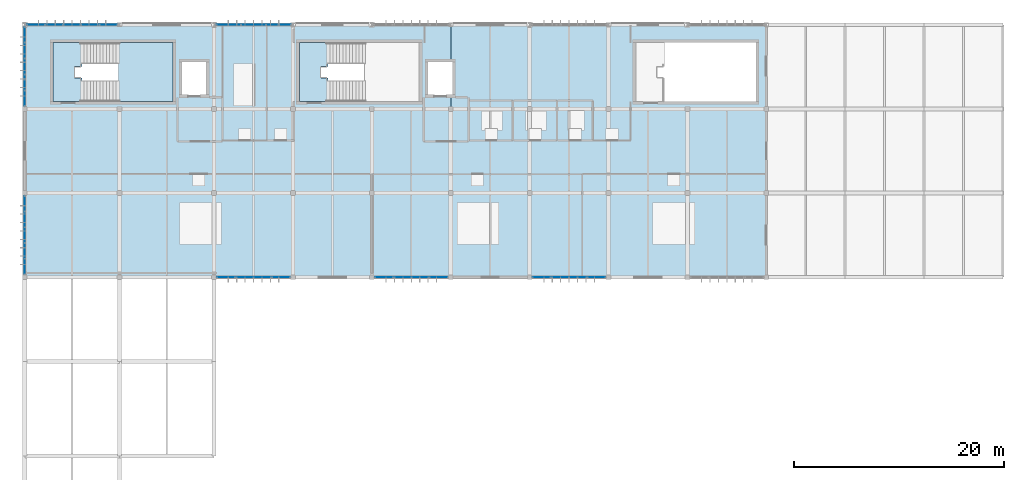
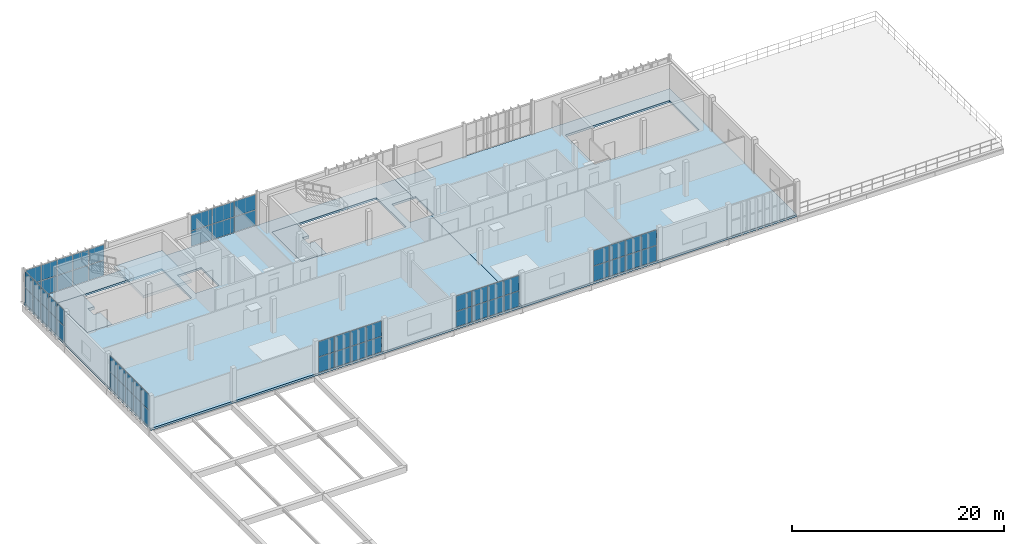
# One storey, part 17 of 26: 60 plates, 5 slabs, 8 elements without a shape of their own.
"""IFC4 building model written with IfcOpenShell, lengths in metres."""

from ifc_helpers import new_model, si_unit, direction, frame, origin, origin_2d, place, context, subcontext, project, spatial, polyline, rectangle, outline, extrude, material, layer, layer_set, type_object, element, aggregate, save


model = new_model("IFC4")

# Units and contexts
model_context = context("Model", 3, precision=1e-05, world=origin(), true_north=direction((0.0, 1.0)))
body_context = subcontext(model_context, "Body", "Model", "MODEL_VIEW")
ifc_project = project(units=[si_unit("LENGTHUNIT", "METRE"), si_unit("AREAUNIT", "SQUARE_METRE"), si_unit("VOLUMEUNIT", "CUBIC_METRE"), si_unit("PLANEANGLEUNIT", "RADIAN"), si_unit("MASSUNIT", "GRAM", prefix="KILO")], contexts=[model_context])

# Site, building, storey
site_placement = place(None, origin())
site = spatial("IfcSite", under=ifc_project, at=site_placement, CompositionType="ELEMENT")
building_placement = place(site_placement, origin())
building = spatial("IfcBuilding", under=site, at=building_placement, Name="Vourika Railside Aquatics Centre", CompositionType="ELEMENT")
storey_placement = place(building_placement, frame((0.0, 0.0, 17.699951171875)))
storey = spatial("IfcBuildingStorey", under=building, at=storey_placement, Name="L04", CompositionType="ELEMENT", Elevation=17.699951171875)

# Curtain wall, plates
ifc_material_1 = material(Name="Anodized thermally broken aluminium", Category="aluminium")
curtain_wall_type = type_object("IfcCurtainWallType", Name="CW-FIT4", PredefinedType="NOTDEFINED", material=ifc_material_1)
curtain_wall_1_placement = place(storey_placement, origin())
curtain_wall_1 = element("IfcCurtainWall", 1, at=curtain_wall_1_placement, inside=storey, type_object=curtain_wall_type, Name="North Boulevard Curtain Wall L04-1", PredefinedType="NOTDEFINED")
ifc_material_2 = material(Name="Low-E solar-control laminated double glazing", Category="glass")
ifc_layer_1 = layer(ifc_material_2, 0.02392578125, Name="CWP-FIT4")
ifc_layer_set_1 = layer_set([ifc_layer_1], Name="Low-E solar-control laminated double glazing")
plate_type = type_object("IfcPlateType", Name="CWP-FIT4", PredefinedType="CURTAIN_PANEL", material=ifc_layer_set_1)
plate_1_placement = place(storey_placement, frame((25.942138671875, 116.0, 0.05517578125), z_axis=(0.0, 0.0, 1.0), x_axis=(-1.0, 0.0, 0.0)))
plate_1 = element("IfcPlate", 2, at=plate_1_placement, type_object=plate_type, Name="CW18 panel 1.1", PredefinedType="CURTAIN_PANEL", context=body_context, shape_type="SweptSolid", body=[
    extrude(rectangle(XDim=1.6455078125, YDim=0.02392578125, at=origin_2d()), origin(), (0.0, 0.0, 1.0), 1.75244140625),
])
plate_2_placement = place(storey_placement, frame((25.942138671875, 116.0, 1.862548828125), z_axis=(0.0, 0.0, 1.0), x_axis=(-1.0, 0.0, 0.0)))
plate_2 = element("IfcPlate", 3, at=plate_2_placement, type_object=plate_type, Name="CW18 panel 1.2", PredefinedType="CURTAIN_PANEL", context=body_context, shape_type="SweptSolid", body=[
    extrude(rectangle(XDim=1.6455078125, YDim=0.02392578125, at=origin_2d()), origin(), (0.0, 0.0, 1.0), 1.75244140625),
])
plate_3_placement = place(storey_placement, frame((24.22802734375, 116.0, 0.05517578125), z_axis=(0.0, 0.0, 1.0), x_axis=(-1.0, 0.0, 0.0)))
plate_3 = element("IfcPlate", 4, at=plate_3_placement, type_object=plate_type, Name="CW18 panel 2.1", PredefinedType="CURTAIN_PANEL", context=body_context, shape_type="SweptSolid", body=[
    extrude(rectangle(XDim=1.673095703125, YDim=0.02392578125, at=origin_2d()), origin(), (0.0, 0.0, 1.0), 1.75244140625),
])
plate_4_placement = place(storey_placement, frame((24.22802734375, 116.0, 1.862548828125), z_axis=(0.0, 0.0, 1.0), x_axis=(-1.0, 0.0, 0.0)))
plate_4 = element("IfcPlate", 5, at=plate_4_placement, type_object=plate_type, Name="CW18 panel 2.2", PredefinedType="CURTAIN_PANEL", context=body_context, shape_type="SweptSolid", body=[
    extrude(rectangle(XDim=1.673095703125, YDim=0.02392578125, at=origin_2d()), origin(), (0.0, 0.0, 1.0), 1.75244140625),
])
plate_5_placement = place(storey_placement, frame((22.5, 116.0, 0.05517578125), z_axis=(0.0, 0.0, 1.0), x_axis=(-1.0, 0.0, 0.0)))
plate_5 = element("IfcPlate", 6, at=plate_5_placement, type_object=plate_type, Name="CW18 panel 3.1", PredefinedType="CURTAIN_PANEL", context=body_context, shape_type="SweptSolid", body=[
    extrude(rectangle(XDim=1.673095703125, YDim=0.02392578125, at=origin_2d()), origin(), (0.0, 0.0, 1.0), 1.75244140625),
])
plate_6_placement = place(storey_placement, frame((22.5, 116.0, 1.862548828125), z_axis=(0.0, 0.0, 1.0), x_axis=(-1.0, 0.0, 0.0)))
plate_6 = element("IfcPlate", 7, at=plate_6_placement, type_object=plate_type, Name="CW18 panel 3.2", PredefinedType="CURTAIN_PANEL", context=body_context, shape_type="SweptSolid", body=[
    extrude(rectangle(XDim=1.673095703125, YDim=0.02392578125, at=origin_2d()), origin(), (0.0, 0.0, 1.0), 1.75244140625),
])
plate_7_placement = place(storey_placement, frame((20.77197265625, 116.0, 0.05517578125), z_axis=(0.0, 0.0, 1.0), x_axis=(-1.0, 0.0, 0.0)))
plate_7 = element("IfcPlate", 8, at=plate_7_placement, type_object=plate_type, Name="CW18 panel 4.1", PredefinedType="CURTAIN_PANEL", context=body_context, shape_type="SweptSolid", body=[
    extrude(rectangle(XDim=1.673095703125, YDim=0.02392578125, at=origin_2d()), origin(), (0.0, 0.0, 1.0), 1.75244140625),
])
plate_8_placement = place(storey_placement, frame((20.77197265625, 116.0, 1.862548828125), z_axis=(0.0, 0.0, 1.0), x_axis=(-1.0, 0.0, 0.0)))
plate_8 = element("IfcPlate", 9, at=plate_8_placement, type_object=plate_type, Name="CW18 panel 4.2", PredefinedType="CURTAIN_PANEL", context=body_context, shape_type="SweptSolid", body=[
    extrude(rectangle(XDim=1.673095703125, YDim=0.02392578125, at=origin_2d()), origin(), (0.0, 0.0, 1.0), 1.75244140625),
])
plate_9_placement = place(storey_placement, frame((19.057861328125, 116.0, 0.05517578125), z_axis=(0.0, 0.0, 1.0), x_axis=(-1.0, 0.0, 0.0)))
plate_9 = element("IfcPlate", 10, at=plate_9_placement, type_object=plate_type, Name="CW18 panel 5.1", PredefinedType="CURTAIN_PANEL", context=body_context, shape_type="SweptSolid", body=[
    extrude(rectangle(XDim=1.6455078125, YDim=0.02392578125, at=origin_2d()), origin(), (0.0, 0.0, 1.0), 1.75244140625),
])
plate_10_placement = place(storey_placement, frame((19.057861328125, 116.0, 1.862548828125), z_axis=(0.0, 0.0, 1.0), x_axis=(-1.0, 0.0, 0.0)))
plate_10 = element("IfcPlate", 11, at=plate_10_placement, type_object=plate_type, Name="CW18 panel 5.2", PredefinedType="CURTAIN_PANEL", context=body_context, shape_type="SweptSolid", body=[
    extrude(rectangle(XDim=1.6455078125, YDim=0.02392578125, at=origin_2d()), origin(), (0.0, 0.0, 1.0), 1.75244140625),
])
aggregate(curtain_wall_1, [plate_1, plate_2, plate_3, plate_4, plate_5, plate_6, plate_7, plate_8, plate_9, plate_10])

curtain_wall_2_placement = place(storey_placement, origin())
curtain_wall_2 = element("IfcCurtainWall", 12, at=curtain_wall_2_placement, inside=storey, type_object=curtain_wall_type, Name="North Boulevard Curtain Wall L04-3", PredefinedType="NOTDEFINED")
plate_11_placement = place(storey_placement, frame((42.1162109375, 116.0, 0.05517578125), z_axis=(0.0, 0.0, 1.0), x_axis=(-1.0, 0.0, 0.0)))
plate_11 = element("IfcPlate", 13, at=plate_11_placement, type_object=plate_type, Name="CW18 panel 1.1", PredefinedType="CURTAIN_PANEL", context=body_context, shape_type="SweptSolid", body=[
    extrude(rectangle(XDim=2.297607421875, YDim=0.02392578125, at=origin_2d()), origin(), (0.0, 0.0, 1.0), 1.75244140625),
])
plate_12_placement = place(storey_placement, frame((42.1162109375, 116.0, 1.862548828125), z_axis=(0.0, 0.0, 1.0), x_axis=(-1.0, 0.0, 0.0)))
plate_12 = element("IfcPlate", 14, at=plate_12_placement, type_object=plate_type, Name="CW18 panel 1.2", PredefinedType="CURTAIN_PANEL", context=body_context, shape_type="SweptSolid", body=[
    extrude(rectangle(XDim=2.297607421875, YDim=0.02392578125, at=origin_2d()), origin(), (0.0, 0.0, 1.0), 1.75244140625),
])
plate_13_placement = place(storey_placement, frame((39.75, 116.0, 0.05517578125), z_axis=(0.0, 0.0, 1.0), x_axis=(-1.0, 0.0, 0.0)))
plate_13 = element("IfcPlate", 15, at=plate_13_placement, type_object=plate_type, Name="CW18 panel 2.1", PredefinedType="CURTAIN_PANEL", context=body_context, shape_type="SweptSolid", body=[
    extrude(rectangle(XDim=2.324951171875, YDim=0.02392578125, at=origin_2d()), origin(), (0.0, 0.0, 1.0), 1.75244140625),
])
plate_14_placement = place(storey_placement, frame((39.75, 116.0, 1.862548828125), z_axis=(0.0, 0.0, 1.0), x_axis=(-1.0, 0.0, 0.0)))
plate_14 = element("IfcPlate", 16, at=plate_14_placement, type_object=plate_type, Name="CW18 panel 2.2", PredefinedType="CURTAIN_PANEL", context=body_context, shape_type="SweptSolid", body=[
    extrude(rectangle(XDim=2.324951171875, YDim=0.02392578125, at=origin_2d()), origin(), (0.0, 0.0, 1.0), 1.75244140625),
])
plate_15_placement = place(storey_placement, frame((37.3837890625, 116.0, 0.05517578125), z_axis=(0.0, 0.0, 1.0), x_axis=(-1.0, 0.0, 0.0)))
plate_15 = element("IfcPlate", 17, at=plate_15_placement, type_object=plate_type, Name="CW18 panel 3.1", PredefinedType="CURTAIN_PANEL", context=body_context, shape_type="SweptSolid", body=[
    extrude(rectangle(XDim=2.297607421875, YDim=0.02392578125, at=origin_2d()), origin(), (0.0, 0.0, 1.0), 1.75244140625),
])
plate_16_placement = place(storey_placement, frame((37.3837890625, 116.0, 1.862548828125), z_axis=(0.0, 0.0, 1.0), x_axis=(-1.0, 0.0, 0.0)))
plate_16 = element("IfcPlate", 18, at=plate_16_placement, type_object=plate_type, Name="CW18 panel 3.2", PredefinedType="CURTAIN_PANEL", context=body_context, shape_type="SweptSolid", body=[
    extrude(rectangle(XDim=2.297607421875, YDim=0.02392578125, at=origin_2d()), origin(), (0.0, 0.0, 1.0), 1.75244140625),
])
aggregate(curtain_wall_2, [plate_11, plate_12, plate_13, plate_14, plate_15, plate_16])

curtain_wall_3_placement = place(storey_placement, origin())
curtain_wall_3 = element("IfcCurtainWall", 19, at=curtain_wall_3_placement, inside=storey, type_object=curtain_wall_type, Name="Courtyard Fitness Curtain Wall L04-1", PredefinedType="NOTDEFINED")
plate_17_placement = place(storey_placement, frame((37.142578125, 92.0, 0.05517578125), z_axis=(0.0, 0.0, 1.0), x_axis=(1.0, 0.0, 0.0)))
plate_17 = element("IfcPlate", 20, at=plate_17_placement, type_object=plate_type, Name="CW18 panel 1.1", PredefinedType="CURTAIN_PANEL", context=body_context, shape_type="SweptSolid", body=[
    extrude(rectangle(XDim=1.6650390625, YDim=0.02392578125, at=origin_2d()), origin(), (0.0, 0.0, 1.0), 1.75244140625),
])
plate_18_placement = place(storey_placement, frame((37.142578125, 92.0, 1.862548828125), z_axis=(0.0, 0.0, 1.0), x_axis=(1.0, 0.0, 0.0)))
plate_18 = element("IfcPlate", 21, at=plate_18_placement, type_object=plate_type, Name="CW18 panel 1.2", PredefinedType="CURTAIN_PANEL", context=body_context, shape_type="SweptSolid", body=[
    extrude(rectangle(XDim=1.6650390625, YDim=0.02392578125, at=origin_2d()), origin(), (0.0, 0.0, 1.0), 1.75244140625),
])
plate_19_placement = place(storey_placement, frame((38.876220703125, 92.0, 0.05517578125), z_axis=(0.0, 0.0, 1.0), x_axis=(1.0, 0.0, 0.0)))
plate_19 = element("IfcPlate", 22, at=plate_19_placement, type_object=plate_type, Name="CW18 panel 2.1", PredefinedType="CURTAIN_PANEL", context=body_context, shape_type="SweptSolid", body=[
    extrude(rectangle(XDim=1.6923828125, YDim=0.02392578125, at=origin_2d()), origin(), (0.0, 0.0, 1.0), 1.75244140625),
])
plate_20_placement = place(storey_placement, frame((38.876220703125, 92.0, 1.862548828125), z_axis=(0.0, 0.0, 1.0), x_axis=(1.0, 0.0, 0.0)))
plate_20 = element("IfcPlate", 23, at=plate_20_placement, type_object=plate_type, Name="CW18 panel 2.2", PredefinedType="CURTAIN_PANEL", context=body_context, shape_type="SweptSolid", body=[
    extrude(rectangle(XDim=1.6923828125, YDim=0.02392578125, at=origin_2d()), origin(), (0.0, 0.0, 1.0), 1.75244140625),
])
plate_21_placement = place(storey_placement, frame((40.623779296875, 92.0, 0.05517578125), z_axis=(0.0, 0.0, 1.0), x_axis=(1.0, 0.0, 0.0)))
plate_21 = element("IfcPlate", 24, at=plate_21_placement, type_object=plate_type, Name="CW18 panel 3.1", PredefinedType="CURTAIN_PANEL", context=body_context, shape_type="SweptSolid", body=[
    extrude(rectangle(XDim=1.6923828125, YDim=0.02392578125, at=origin_2d()), origin(), (0.0, 0.0, 1.0), 1.75244140625),
])
plate_22_placement = place(storey_placement, frame((40.623779296875, 92.0, 1.862548828125), z_axis=(0.0, 0.0, 1.0), x_axis=(1.0, 0.0, 0.0)))
plate_22 = element("IfcPlate", 25, at=plate_22_placement, type_object=plate_type, Name="CW18 panel 3.2", PredefinedType="CURTAIN_PANEL", context=body_context, shape_type="SweptSolid", body=[
    extrude(rectangle(XDim=1.6923828125, YDim=0.02392578125, at=origin_2d()), origin(), (0.0, 0.0, 1.0), 1.75244140625),
])
plate_23_placement = place(storey_placement, frame((42.357421875, 92.0, 0.05517578125), z_axis=(0.0, 0.0, 1.0), x_axis=(1.0, 0.0, 0.0)))
plate_23 = element("IfcPlate", 26, at=plate_23_placement, type_object=plate_type, Name="CW18 panel 4.1", PredefinedType="CURTAIN_PANEL", context=body_context, shape_type="SweptSolid", body=[
    extrude(rectangle(XDim=1.6650390625, YDim=0.02392578125, at=origin_2d()), origin(), (0.0, 0.0, 1.0), 1.75244140625),
])
plate_24_placement = place(storey_placement, frame((42.357421875, 92.0, 1.862548828125), z_axis=(0.0, 0.0, 1.0), x_axis=(1.0, 0.0, 0.0)))
plate_24 = element("IfcPlate", 27, at=plate_24_placement, type_object=plate_type, Name="CW18 panel 4.2", PredefinedType="CURTAIN_PANEL", context=body_context, shape_type="SweptSolid", body=[
    extrude(rectangle(XDim=1.6650390625, YDim=0.02392578125, at=origin_2d()), origin(), (0.0, 0.0, 1.0), 1.75244140625),
])
aggregate(curtain_wall_3, [plate_17, plate_18, plate_19, plate_20, plate_21, plate_22, plate_23, plate_24])

curtain_wall_4_placement = place(storey_placement, origin())
curtain_wall_4 = element("IfcCurtainWall", 28, at=curtain_wall_4_placement, inside=storey, type_object=curtain_wall_type, Name="Courtyard Fitness Curtain Wall L04-3", PredefinedType="NOTDEFINED")
plate_25_placement = place(storey_placement, frame((52.142578125, 92.0, 0.05517578125), z_axis=(0.0, 0.0, 1.0), x_axis=(1.0, 0.0, 0.0)))
plate_25 = element("IfcPlate", 29, at=plate_25_placement, type_object=plate_type, Name="CW18 panel 1.1", PredefinedType="CURTAIN_PANEL", context=body_context, shape_type="SweptSolid", body=[
    extrude(rectangle(XDim=1.6650390625, YDim=0.02392578125, at=origin_2d()), origin(), (0.0, 0.0, 1.0), 1.75244140625),
])
plate_26_placement = place(storey_placement, frame((52.142578125, 92.0, 1.862548828125), z_axis=(0.0, 0.0, 1.0), x_axis=(1.0, 0.0, 0.0)))
plate_26 = element("IfcPlate", 30, at=plate_26_placement, type_object=plate_type, Name="CW18 panel 1.2", PredefinedType="CURTAIN_PANEL", context=body_context, shape_type="SweptSolid", body=[
    extrude(rectangle(XDim=1.6650390625, YDim=0.02392578125, at=origin_2d()), origin(), (0.0, 0.0, 1.0), 1.75244140625),
])
plate_27_placement = place(storey_placement, frame((53.876220703125, 92.0, 0.05517578125), z_axis=(0.0, 0.0, 1.0), x_axis=(1.0, 0.0, 0.0)))
plate_27 = element("IfcPlate", 31, at=plate_27_placement, type_object=plate_type, Name="CW18 panel 2.1", PredefinedType="CURTAIN_PANEL", context=body_context, shape_type="SweptSolid", body=[
    extrude(rectangle(XDim=1.6923828125, YDim=0.02392578125, at=origin_2d()), origin(), (0.0, 0.0, 1.0), 1.75244140625),
])
plate_28_placement = place(storey_placement, frame((53.876220703125, 92.0, 1.862548828125), z_axis=(0.0, 0.0, 1.0), x_axis=(1.0, 0.0, 0.0)))
plate_28 = element("IfcPlate", 32, at=plate_28_placement, type_object=plate_type, Name="CW18 panel 2.2", PredefinedType="CURTAIN_PANEL", context=body_context, shape_type="SweptSolid", body=[
    extrude(rectangle(XDim=1.6923828125, YDim=0.02392578125, at=origin_2d()), origin(), (0.0, 0.0, 1.0), 1.75244140625),
])
plate_29_placement = place(storey_placement, frame((55.623779296875, 92.0, 0.05517578125), z_axis=(0.0, 0.0, 1.0), x_axis=(1.0, 0.0, 0.0)))
plate_29 = element("IfcPlate", 33, at=plate_29_placement, type_object=plate_type, Name="CW18 panel 3.1", PredefinedType="CURTAIN_PANEL", context=body_context, shape_type="SweptSolid", body=[
    extrude(rectangle(XDim=1.6923828125, YDim=0.02392578125, at=origin_2d()), origin(), (0.0, 0.0, 1.0), 1.75244140625),
])
plate_30_placement = place(storey_placement, frame((55.623779296875, 92.0, 1.862548828125), z_axis=(0.0, 0.0, 1.0), x_axis=(1.0, 0.0, 0.0)))
plate_30 = element("IfcPlate", 34, at=plate_30_placement, type_object=plate_type, Name="CW18 panel 3.2", PredefinedType="CURTAIN_PANEL", context=body_context, shape_type="SweptSolid", body=[
    extrude(rectangle(XDim=1.6923828125, YDim=0.02392578125, at=origin_2d()), origin(), (0.0, 0.0, 1.0), 1.75244140625),
])
plate_31_placement = place(storey_placement, frame((57.357421875, 92.0, 0.05517578125), z_axis=(0.0, 0.0, 1.0), x_axis=(1.0, 0.0, 0.0)))
plate_31 = element("IfcPlate", 35, at=plate_31_placement, type_object=plate_type, Name="CW18 panel 4.1", PredefinedType="CURTAIN_PANEL", context=body_context, shape_type="SweptSolid", body=[
    extrude(rectangle(XDim=1.6650390625, YDim=0.02392578125, at=origin_2d()), origin(), (0.0, 0.0, 1.0), 1.75244140625),
])
plate_32_placement = place(storey_placement, frame((57.357421875, 92.0, 1.862548828125), z_axis=(0.0, 0.0, 1.0), x_axis=(1.0, 0.0, 0.0)))
plate_32 = element("IfcPlate", 36, at=plate_32_placement, type_object=plate_type, Name="CW18 panel 4.2", PredefinedType="CURTAIN_PANEL", context=body_context, shape_type="SweptSolid", body=[
    extrude(rectangle(XDim=1.6650390625, YDim=0.02392578125, at=origin_2d()), origin(), (0.0, 0.0, 1.0), 1.75244140625),
])
aggregate(curtain_wall_4, [plate_25, plate_26, plate_27, plate_28, plate_29, plate_30, plate_31, plate_32])

curtain_wall_5_placement = place(storey_placement, origin())
curtain_wall_5 = element("IfcCurtainWall", 37, at=curtain_wall_5_placement, inside=storey, type_object=curtain_wall_type, Name="Courtyard Fitness Curtain Wall L04-5", PredefinedType="NOTDEFINED")
plate_33_placement = place(storey_placement, frame((67.142578125, 92.0, 0.05517578125), z_axis=(0.0, 0.0, 1.0), x_axis=(1.0, 0.0, 0.0)))
plate_33 = element("IfcPlate", 38, at=plate_33_placement, type_object=plate_type, Name="CW18 panel 1.1", PredefinedType="CURTAIN_PANEL", context=body_context, shape_type="SweptSolid", body=[
    extrude(rectangle(XDim=1.6650390625, YDim=0.02392578125, at=origin_2d()), origin(), (0.0, 0.0, 1.0), 1.75244140625),
])
plate_34_placement = place(storey_placement, frame((67.142578125, 92.0, 1.862548828125), z_axis=(0.0, 0.0, 1.0), x_axis=(1.0, 0.0, 0.0)))
plate_34 = element("IfcPlate", 39, at=plate_34_placement, type_object=plate_type, Name="CW18 panel 1.2", PredefinedType="CURTAIN_PANEL", context=body_context, shape_type="SweptSolid", body=[
    extrude(rectangle(XDim=1.6650390625, YDim=0.02392578125, at=origin_2d()), origin(), (0.0, 0.0, 1.0), 1.75244140625),
])
plate_35_placement = place(storey_placement, frame((68.876220703125, 92.0, 0.05517578125), z_axis=(0.0, 0.0, 1.0), x_axis=(1.0, 0.0, 0.0)))
plate_35 = element("IfcPlate", 40, at=plate_35_placement, type_object=plate_type, Name="CW18 panel 2.1", PredefinedType="CURTAIN_PANEL", context=body_context, shape_type="SweptSolid", body=[
    extrude(rectangle(XDim=1.6923828125, YDim=0.02392578125, at=origin_2d()), origin(), (0.0, 0.0, 1.0), 1.75244140625),
])
plate_36_placement = place(storey_placement, frame((68.876220703125, 92.0, 1.862548828125), z_axis=(0.0, 0.0, 1.0), x_axis=(1.0, 0.0, 0.0)))
plate_36 = element("IfcPlate", 41, at=plate_36_placement, type_object=plate_type, Name="CW18 panel 2.2", PredefinedType="CURTAIN_PANEL", context=body_context, shape_type="SweptSolid", body=[
    extrude(rectangle(XDim=1.6923828125, YDim=0.02392578125, at=origin_2d()), origin(), (0.0, 0.0, 1.0), 1.75244140625),
])
plate_37_placement = place(storey_placement, frame((70.623779296875, 92.0, 0.05517578125), z_axis=(0.0, 0.0, 1.0), x_axis=(1.0, 0.0, 0.0)))
plate_37 = element("IfcPlate", 42, at=plate_37_placement, type_object=plate_type, Name="CW18 panel 3.1", PredefinedType="CURTAIN_PANEL", context=body_context, shape_type="SweptSolid", body=[
    extrude(rectangle(XDim=1.6923828125, YDim=0.02392578125, at=origin_2d()), origin(), (0.0, 0.0, 1.0), 1.75244140625),
])
plate_38_placement = place(storey_placement, frame((70.623779296875, 92.0, 1.862548828125), z_axis=(0.0, 0.0, 1.0), x_axis=(1.0, 0.0, 0.0)))
plate_38 = element("IfcPlate", 43, at=plate_38_placement, type_object=plate_type, Name="CW18 panel 3.2", PredefinedType="CURTAIN_PANEL", context=body_context, shape_type="SweptSolid", body=[
    extrude(rectangle(XDim=1.6923828125, YDim=0.02392578125, at=origin_2d()), origin(), (0.0, 0.0, 1.0), 1.75244140625),
])
plate_39_placement = place(storey_placement, frame((72.357421875, 92.0, 0.05517578125), z_axis=(0.0, 0.0, 1.0), x_axis=(1.0, 0.0, 0.0)))
plate_39 = element("IfcPlate", 44, at=plate_39_placement, type_object=plate_type, Name="CW18 panel 4.1", PredefinedType="CURTAIN_PANEL", context=body_context, shape_type="SweptSolid", body=[
    extrude(rectangle(XDim=1.6650390625, YDim=0.02392578125, at=origin_2d()), origin(), (0.0, 0.0, 1.0), 1.75244140625),
])
plate_40_placement = place(storey_placement, frame((72.357421875, 92.0, 1.862548828125), z_axis=(0.0, 0.0, 1.0), x_axis=(1.0, 0.0, 0.0)))
plate_40 = element("IfcPlate", 45, at=plate_40_placement, type_object=plate_type, Name="CW18 panel 4.2", PredefinedType="CURTAIN_PANEL", context=body_context, shape_type="SweptSolid", body=[
    extrude(rectangle(XDim=1.6650390625, YDim=0.02392578125, at=origin_2d()), origin(), (0.0, 0.0, 1.0), 1.75244140625),
])
aggregate(curtain_wall_5, [plate_33, plate_34, plate_35, plate_36, plate_37, plate_38, plate_39, plate_40])

curtain_wall_6_placement = place(storey_placement, origin())
curtain_wall_6 = element("IfcCurtainWall", 46, at=curtain_wall_6_placement, inside=storey, type_object=curtain_wall_type, Name="Fitness West Boulevard Curtain Wall L04-1", PredefinedType="NOTDEFINED")
plate_41_placement = place(storey_placement, frame((18.0, 98.982177734375, 0.05517578125), z_axis=(0.0, 0.0, 1.0), x_axis=(0.0, -1.0, 0.0)))
plate_41 = element("IfcPlate", 47, at=plate_41_placement, type_object=plate_type, Name="CW18 panel 1.1", PredefinedType="CURTAIN_PANEL", context=body_context, shape_type="SweptSolid", body=[
    extrude(rectangle(XDim=1.41552734375, YDim=0.02392578125, at=origin_2d()), origin(), (0.0, 0.0, 1.0), 1.8173828125),
])
plate_42_placement = place(storey_placement, frame((18.0, 98.982177734375, 1.927490234375), z_axis=(0.0, 0.0, 1.0), x_axis=(0.0, -1.0, 0.0)))
plate_42 = element("IfcPlate", 48, at=plate_42_placement, type_object=plate_type, Name="CW18 panel 1.2", PredefinedType="CURTAIN_PANEL", context=body_context, shape_type="SweptSolid", body=[
    extrude(rectangle(XDim=1.41552734375, YDim=0.02392578125, at=origin_2d()), origin(), (0.0, 0.0, 1.0), 1.8173828125),
])
plate_43_placement = place(storey_placement, frame((18.0, 97.498046875, 0.05517578125), z_axis=(0.0, 0.0, 1.0), x_axis=(0.0, -1.0, 0.0)))
plate_43 = element("IfcPlate", 49, at=plate_43_placement, type_object=plate_type, Name="CW18 panel 2.1", PredefinedType="CURTAIN_PANEL", context=body_context, shape_type="SweptSolid", body=[
    extrude(rectangle(XDim=1.443115234375, YDim=0.02392578125, at=origin_2d()), origin(), (0.0, 0.0, 1.0), 1.8173828125),
])
plate_44_placement = place(storey_placement, frame((18.0, 97.498046875, 1.927490234375), z_axis=(0.0, 0.0, 1.0), x_axis=(0.0, -1.0, 0.0)))
plate_44 = element("IfcPlate", 50, at=plate_44_placement, type_object=plate_type, Name="CW18 panel 2.2", PredefinedType="CURTAIN_PANEL", context=body_context, shape_type="SweptSolid", body=[
    extrude(rectangle(XDim=1.443115234375, YDim=0.02392578125, at=origin_2d()), origin(), (0.0, 0.0, 1.0), 1.8173828125),
])
plate_45_placement = place(storey_placement, frame((18.0, 96.0, 0.05517578125), z_axis=(0.0, 0.0, 1.0), x_axis=(0.0, -1.0, 0.0)))
plate_45 = element("IfcPlate", 51, at=plate_45_placement, type_object=plate_type, Name="CW18 panel 3.1", PredefinedType="CURTAIN_PANEL", context=body_context, shape_type="SweptSolid", body=[
    extrude(rectangle(XDim=1.443115234375, YDim=0.02392578125, at=origin_2d()), origin(), (0.0, 0.0, 1.0), 1.8173828125),
])
plate_46_placement = place(storey_placement, frame((18.0, 96.0, 1.927490234375), z_axis=(0.0, 0.0, 1.0), x_axis=(0.0, -1.0, 0.0)))
plate_46 = element("IfcPlate", 52, at=plate_46_placement, type_object=plate_type, Name="CW18 panel 3.2", PredefinedType="CURTAIN_PANEL", context=body_context, shape_type="SweptSolid", body=[
    extrude(rectangle(XDim=1.443115234375, YDim=0.02392578125, at=origin_2d()), origin(), (0.0, 0.0, 1.0), 1.8173828125),
])
plate_47_placement = place(storey_placement, frame((18.0, 94.501953125, 0.05517578125), z_axis=(0.0, 0.0, 1.0), x_axis=(0.0, -1.0, 0.0)))
plate_47 = element("IfcPlate", 53, at=plate_47_placement, type_object=plate_type, Name="CW18 panel 4.1", PredefinedType="CURTAIN_PANEL", context=body_context, shape_type="SweptSolid", body=[
    extrude(rectangle(XDim=1.443115234375, YDim=0.02392578125, at=origin_2d()), origin(), (0.0, 0.0, 1.0), 1.8173828125),
])
plate_48_placement = place(storey_placement, frame((18.0, 94.501953125, 1.927490234375), z_axis=(0.0, 0.0, 1.0), x_axis=(0.0, -1.0, 0.0)))
plate_48 = element("IfcPlate", 54, at=plate_48_placement, type_object=plate_type, Name="CW18 panel 4.2", PredefinedType="CURTAIN_PANEL", context=body_context, shape_type="SweptSolid", body=[
    extrude(rectangle(XDim=1.443115234375, YDim=0.02392578125, at=origin_2d()), origin(), (0.0, 0.0, 1.0), 1.8173828125),
])
plate_49_placement = place(storey_placement, frame((18.0, 93.017822265625, 0.05517578125), z_axis=(0.0, 0.0, 1.0), x_axis=(0.0, -1.0, 0.0)))
plate_49 = element("IfcPlate", 55, at=plate_49_placement, type_object=plate_type, Name="CW18 panel 5.1", PredefinedType="CURTAIN_PANEL", context=body_context, shape_type="SweptSolid", body=[
    extrude(rectangle(XDim=1.41552734375, YDim=0.02392578125, at=origin_2d()), origin(), (0.0, 0.0, 1.0), 1.8173828125),
])
plate_50_placement = place(storey_placement, frame((18.0, 93.017822265625, 1.927490234375), z_axis=(0.0, 0.0, 1.0), x_axis=(0.0, -1.0, 0.0)))
plate_50 = element("IfcPlate", 56, at=plate_50_placement, type_object=plate_type, Name="CW18 panel 5.2", PredefinedType="CURTAIN_PANEL", context=body_context, shape_type="SweptSolid", body=[
    extrude(rectangle(XDim=1.41552734375, YDim=0.02392578125, at=origin_2d()), origin(), (0.0, 0.0, 1.0), 1.8173828125),
])
aggregate(curtain_wall_6, [plate_41, plate_42, plate_43, plate_44, plate_45, plate_46, plate_47, plate_48, plate_49, plate_50])

curtain_wall_7_placement = place(storey_placement, origin())
curtain_wall_7 = element("IfcCurtainWall", 57, at=curtain_wall_7_placement, inside=storey, type_object=curtain_wall_type, Name="Fitness West Boulevard Curtain Wall L04-3", PredefinedType="NOTDEFINED")
plate_51_placement = place(storey_placement, frame((18.0, 115.0498046875, 0.05517578125), z_axis=(0.0, 0.0, 1.0), x_axis=(0.0, -1.0, 0.0)))
plate_51 = element("IfcPlate", 58, at=plate_51_placement, type_object=plate_type, Name="CW18 panel 1.1", PredefinedType="CURTAIN_PANEL", context=body_context, shape_type="SweptSolid", body=[
    extrude(rectangle(XDim=1.430419921875, YDim=0.02392578125, at=origin_2d()), origin(), (0.0, 0.0, 1.0), 1.8173828125),
])
plate_52_placement = place(storey_placement, frame((18.0, 115.0498046875, 1.927490234375), z_axis=(0.0, 0.0, 1.0), x_axis=(0.0, -1.0, 0.0)))
plate_52 = element("IfcPlate", 59, at=plate_52_placement, type_object=plate_type, Name="CW18 panel 1.2", PredefinedType="CURTAIN_PANEL", context=body_context, shape_type="SweptSolid", body=[
    extrude(rectangle(XDim=1.430419921875, YDim=0.02392578125, at=origin_2d()), origin(), (0.0, 0.0, 1.0), 1.8173828125),
])
plate_53_placement = place(storey_placement, frame((18.0, 113.550537109375, 0.05517578125), z_axis=(0.0, 0.0, 1.0), x_axis=(0.0, -1.0, 0.0)))
plate_53 = element("IfcPlate", 60, at=plate_53_placement, type_object=plate_type, Name="CW18 panel 2.1", PredefinedType="CURTAIN_PANEL", context=body_context, shape_type="SweptSolid", body=[
    extrude(rectangle(XDim=1.4580078125, YDim=0.02392578125, at=origin_2d()), origin(), (0.0, 0.0, 1.0), 1.8173828125),
])
plate_54_placement = place(storey_placement, frame((18.0, 113.550537109375, 1.927490234375), z_axis=(0.0, 0.0, 1.0), x_axis=(0.0, -1.0, 0.0)))
plate_54 = element("IfcPlate", 61, at=plate_54_placement, type_object=plate_type, Name="CW18 panel 2.2", PredefinedType="CURTAIN_PANEL", context=body_context, shape_type="SweptSolid", body=[
    extrude(rectangle(XDim=1.4580078125, YDim=0.02392578125, at=origin_2d()), origin(), (0.0, 0.0, 1.0), 1.8173828125),
])
plate_55_placement = place(storey_placement, frame((18.0, 112.03759765625, 0.05517578125), z_axis=(0.0, 0.0, 1.0), x_axis=(0.0, -1.0, 0.0)))
plate_55 = element("IfcPlate", 62, at=plate_55_placement, type_object=plate_type, Name="CW18 panel 3.1", PredefinedType="CURTAIN_PANEL", context=body_context, shape_type="SweptSolid", body=[
    extrude(rectangle(XDim=1.4580078125, YDim=0.02392578125, at=origin_2d()), origin(), (0.0, 0.0, 1.0), 1.8173828125),
])
plate_56_placement = place(storey_placement, frame((18.0, 112.03759765625, 1.927490234375), z_axis=(0.0, 0.0, 1.0), x_axis=(0.0, -1.0, 0.0)))
plate_56 = element("IfcPlate", 63, at=plate_56_placement, type_object=plate_type, Name="CW18 panel 3.2", PredefinedType="CURTAIN_PANEL", context=body_context, shape_type="SweptSolid", body=[
    extrude(rectangle(XDim=1.4580078125, YDim=0.02392578125, at=origin_2d()), origin(), (0.0, 0.0, 1.0), 1.8173828125),
])
plate_57_placement = place(storey_placement, frame((18.0, 110.5244140625, 0.05517578125), z_axis=(0.0, 0.0, 1.0), x_axis=(0.0, -1.0, 0.0)))
plate_57 = element("IfcPlate", 64, at=plate_57_placement, type_object=plate_type, Name="CW18 panel 4.1", PredefinedType="CURTAIN_PANEL", context=body_context, shape_type="SweptSolid", body=[
    extrude(rectangle(XDim=1.4580078125, YDim=0.02392578125, at=origin_2d()), origin(), (0.0, 0.0, 1.0), 1.8173828125),
])
plate_58_placement = place(storey_placement, frame((18.0, 110.5244140625, 1.927490234375), z_axis=(0.0, 0.0, 1.0), x_axis=(0.0, -1.0, 0.0)))
plate_58 = element("IfcPlate", 65, at=plate_58_placement, type_object=plate_type, Name="CW18 panel 4.2", PredefinedType="CURTAIN_PANEL", context=body_context, shape_type="SweptSolid", body=[
    extrude(rectangle(XDim=1.4580078125, YDim=0.02392578125, at=origin_2d()), origin(), (0.0, 0.0, 1.0), 1.8173828125),
])
plate_59_placement = place(storey_placement, frame((18.0, 109.025146484375, 0.05517578125), z_axis=(0.0, 0.0, 1.0), x_axis=(0.0, -1.0, 0.0)))
plate_59 = element("IfcPlate", 66, at=plate_59_placement, type_object=plate_type, Name="CW18 panel 5.1", PredefinedType="CURTAIN_PANEL", context=body_context, shape_type="SweptSolid", body=[
    extrude(rectangle(XDim=1.430419921875, YDim=0.02392578125, at=origin_2d()), origin(), (0.0, 0.0, 1.0), 1.8173828125),
])
plate_60_placement = place(storey_placement, frame((18.0, 109.025146484375, 1.927490234375), z_axis=(0.0, 0.0, 1.0), x_axis=(0.0, -1.0, 0.0)))
plate_60 = element("IfcPlate", 67, at=plate_60_placement, type_object=plate_type, Name="CW18 panel 5.2", PredefinedType="CURTAIN_PANEL", context=body_context, shape_type="SweptSolid", body=[
    extrude(rectangle(XDim=1.430419921875, YDim=0.02392578125, at=origin_2d()), origin(), (0.0, 0.0, 1.0), 1.8173828125),
])
aggregate(curtain_wall_7, [plate_51, plate_52, plate_53, plate_54, plate_55, plate_56, plate_57, plate_58, plate_59, plate_60])

# Slabs
ifc_material_3 = material(Name="Concrete C35/45", Category="concrete")
ifc_layer_2 = layer(ifc_material_3, 0.31005859375, Name="SLB-CORE-310")
ifc_layer_set_2 = layer_set([ifc_layer_2], Name="Concrete C35/45")
slab_type_1 = type_object("IfcSlabType", Name="SLB-CORE-310", PredefinedType="FLOOR", material=ifc_layer_set_2)
slab_1_placement = place(storey_placement, frame((0.0, 0.0, -0.31005859375)))
element("IfcSlab", 68, at=slab_1_placement, inside=storey, type_object=slab_type_1, Name="Protected Exit Stair Core ST01 Core Floor Landing (L04)", PredefinedType="FLOOR", context=body_context, shape_type="SweptSolid", body=[
    extrude(outline(polyline([(20.699951171875, 108.699951171875), (23.43994140625, 108.699951171875), (23.43994140625, 110.949951171875), (22.75, 110.949951171875), (22.75, 112.050048828125), (23.43994140625, 112.050048828125), (23.43994140625, 114.300048828125), (20.699951171875, 114.300048828125), (20.699951171875, 108.699951171875)])), origin(), (0.0, 0.0, 1.0), 0.31005859375),
])
slab_2_placement = place(storey_placement, frame((0.0, 0.0, -0.31005859375)))
element("IfcSlab", 69, at=slab_2_placement, inside=storey, type_object=slab_type_1, Name="Protected Exit Stair Core ST02 Core Floor Landing (L04)", PredefinedType="FLOOR", context=body_context, shape_type="SweptSolid", body=[
    extrude(outline(polyline([(44.10009765625, 108.699951171875), (46.840087890625, 108.699951171875), (46.840087890625, 110.949951171875), (46.14990234375, 110.949951171875), (46.14990234375, 112.050048828125), (46.840087890625, 112.050048828125), (46.840087890625, 114.300048828125), (44.10009765625, 114.300048828125), (44.10009765625, 108.699951171875)])), origin(), (0.0, 0.0, 1.0), 0.31005859375),
])
ifc_layer_3 = layer(ifc_material_3, 0.239990234375, Name="SLB-FLOOR-240")
ifc_layer_set_3 = layer_set([ifc_layer_3], Name="Concrete C35/45")
slab_type_2 = type_object("IfcSlabType", Name="SLB-FLOOR-240", PredefinedType="FLOOR", material=ifc_layer_set_3)
slab_3_placement = place(storey_placement, frame((0.0, 0.0, -0.239990234375)))
element("IfcSlab", 70, at=slab_3_placement, inside=storey, type_object=slab_type_2, Name="L04 Floor Slab (v5_cond_w)", PredefinedType="FLOOR", context=body_context, shape_type="SweptSolid", body=[
    extrude(outline(polyline([(58.5, 92.0), (18.0, 92.0), (18.0, 116.0), (58.5, 116.0), (58.5, 112.60009765625), (56.199951171875, 112.60009765625), (56.199951171875, 109.199951171875), (58.5, 109.199951171875), (58.5, 92.0)]), holes=[polyline([(32.800048828125, 109.199951171875), (35.39990234375, 109.199951171875), (35.39990234375, 112.60009765625), (32.800048828125, 112.60009765625), (32.800048828125, 109.199951171875)]), polyline([(20.699951171875, 108.699951171875), (32.10009765625, 108.699951171875), (32.10009765625, 114.300048828125), (20.699951171875, 114.300048828125), (20.699951171875, 108.699951171875)]), polyline([(44.10009765625, 114.300048828125), (44.10009765625, 108.699951171875), (55.5, 108.699951171875), (55.5, 114.300048828125), (44.10009765625, 114.300048828125)])]), origin(), (0.0, 0.0, 1.0), 0.239990234375),
])
slab_4_placement = place(storey_placement, frame((0.0, 0.0, -0.239990234375)))
element("IfcSlab", 71, at=slab_4_placement, inside=storey, type_object=slab_type_2, Name="L04 Floor Slab (v5_cond_e)", PredefinedType="FLOOR", context=body_context, shape_type="SweptSolid", body=[
    extrude(outline(polyline([(58.5, 116.0), (88.5, 116.0), (88.5, 92.0), (58.5, 92.0), (58.5, 109.199951171875), (58.800048828125, 109.199951171875), (58.800048828125, 112.60009765625), (58.5, 112.60009765625), (58.5, 116.0)]), holes=[polyline([(76.10009765625, 114.300048828125), (76.10009765625, 108.699951171875), (87.5, 108.699951171875), (87.5, 114.300048828125), (76.10009765625, 114.300048828125)])]), origin(), (0.0, 0.0, 1.0), 0.239990234375),
])

# Stair, slab
stair_type = type_object("IfcStairType", Name="STR-CORE-L04", PredefinedType="TWO_STRAIGHT_RUN_STAIR", material=ifc_material_3)
stair_placement = place(storey_placement, origin())
stair = element("IfcStair", 72, at=stair_placement, inside=storey, type_object=stair_type, Name="Protected Exit Stair Core ST01 (L04)", PredefinedType="TWO_STRAIGHT_RUN_STAIR")
ifc_layer_4 = layer(ifc_material_3, 0.31005859375, Name="SLB-LND-310")
ifc_layer_set_4 = layer_set([ifc_layer_4], Name="Concrete C35/45")
slab_type_3 = type_object("IfcSlabType", Name="SLB-LND-310", PredefinedType="LANDING", material=ifc_layer_set_4)
slab_5_placement = place(storey_placement, frame((0.0, 0.0, 1.7900390625)))
slab_5 = element("IfcSlab", 73, at=slab_5_placement, type_object=slab_type_3, Name="STC-L04 landing 1", PredefinedType="LANDING", context=body_context, shape_type="SweptSolid", body=[
    extrude(outline(polyline([(26.85595703125, 108.699951171875), (32.10009765625, 108.699951171875), (32.10009765625, 114.300048828125), (26.85595703125, 114.300048828125), (26.85595703125, 108.699951171875)])), origin(), (0.0, 0.0, 1.0), 0.31005859375),
])
aggregate(stair, [slab_5])

save(model, "model.ifc")
